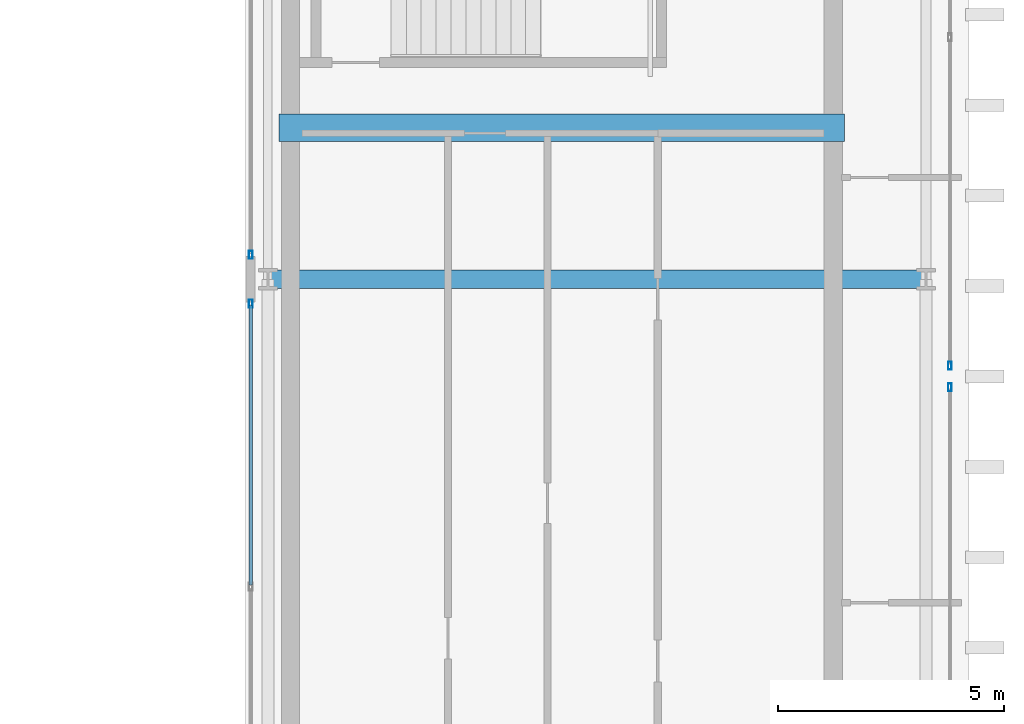
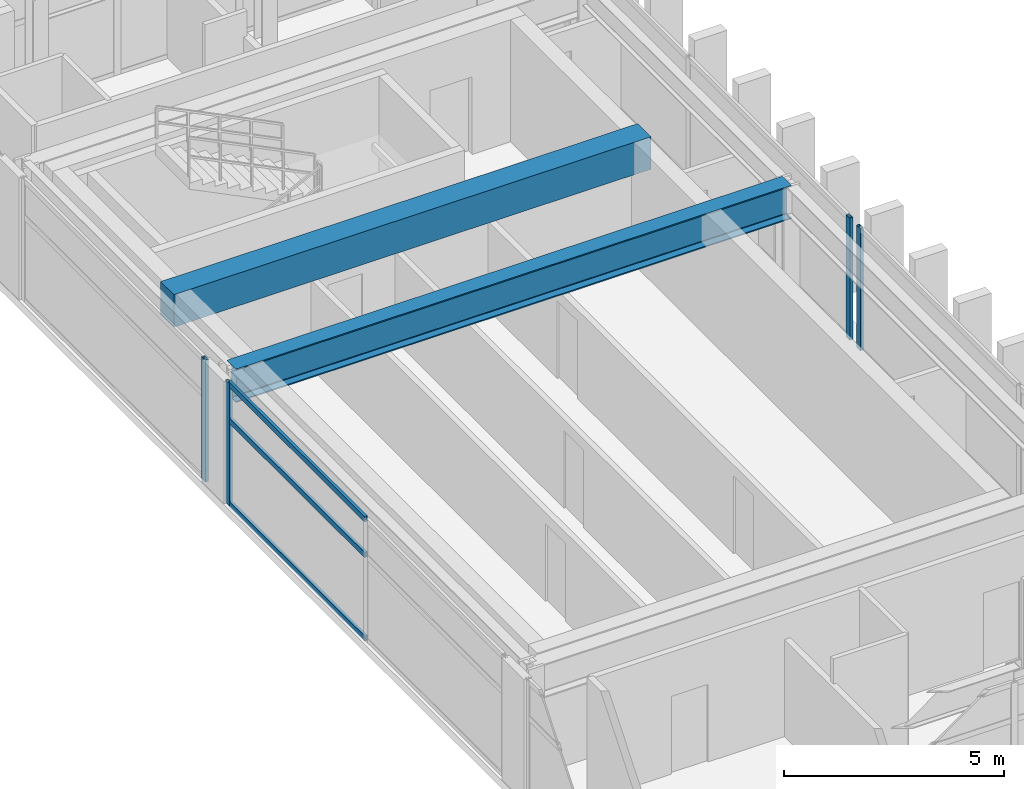
# One storey, part 11 of 25: 7 members, 2 beams, 4 elements without a shape of their own.
"""IFC4 building model written with IfcOpenShell, lengths in metres."""

from ifc_helpers import new_model, si_unit, direction, frame, origin, origin_2d, place, context, subcontext, project, spatial, rectangle, hollow_rectangle, i_section, extrude, source, transform, mapped, material, layer, layer_set, material_profile, profile_set, type_object, element, aggregate, save


model = new_model("IFC4")

# Units and contexts
model_context = context("Model", 3, precision=1e-05, world=origin(), true_north=direction((0.0, 1.0)))
body_context = subcontext(model_context, "Body", "Model", "MODEL_VIEW")
ifc_project = project(units=[si_unit("LENGTHUNIT", "METRE"), si_unit("AREAUNIT", "SQUARE_METRE"), si_unit("VOLUMEUNIT", "CUBIC_METRE"), si_unit("PLANEANGLEUNIT", "RADIAN"), si_unit("MASSUNIT", "GRAM", prefix="KILO")], contexts=[model_context])

# Site, building, storey
site_placement = place(None, origin())
site = spatial("IfcSite", under=ifc_project, at=site_placement, CompositionType="ELEMENT")
building_placement = place(site_placement, origin())
building = spatial("IfcBuilding", under=site, at=building_placement, Name="Ocotamira Hotel", CompositionType="ELEMENT")
storey_placement = place(building_placement, frame((0.0, 0.0, 258.0)))
storey = spatial("IfcBuildingStorey", under=building, at=storey_placement, Name="L65", CompositionType="ELEMENT", Elevation=258.0)

# Beams
ifc_material_1 = material(Name="Concrete C50/60", Category="concrete")
ifc_material_profile_1 = material_profile(ifc_material_1, rectangle(XDim=0.60009765625, YDim=0.89990234375, at=origin_2d()), Name="RC600X900")
ifc_profile_set_1 = profile_set([ifc_material_profile_1], Name="Concrete C50/60")
beam_type_1 = type_object("IfcBeamType", Name="BM-LINK-RC600", PredefinedType="LINTEL", material=ifc_profile_set_1)
shared_shape_1 = source(origin(), body_context, "Body", "SweptSolid", [
    extrude(rectangle(XDim=0.60009765625, YDim=0.89990234375, at=origin_2d()), origin(), (0.0, 0.0, 1.0), 12.5),
])
beam_1_placement = place(storey_placement, frame((40.75, 31.5, 2.929931640625), z_axis=(1.0, 0.0, 0.0), x_axis=(0.0, 1.0, 0.0)))
element("IfcBeam", 1, at=beam_1_placement, inside=storey, type_object=beam_type_1, Name="L65 East Core Coupling Beam", PredefinedType="LINTEL", context=body_context, shape_type="MappedRepresentation", body=[
    mapped(shared_shape_1, transform((0.0, 0.0, 0.0), scale=1.0)),
])
ifc_material_2 = material(Name="Steel ASTM A992 Grade 50", Category="steel")
ifc_material_profile_2 = material_profile(ifc_material_2, i_section(OverallWidth=0.41796875, OverallDepth=0.927001953125, WebThickness=0.019287109375, FlangeThickness=0.031982421875, FilletRadius=0.02392578125, at=origin_2d()), Name="W36X231")
ifc_profile_set_2 = profile_set([ifc_material_profile_2], Name="Steel ASTM A992 Grade 50")
beam_type_2 = type_object("IfcBeamType", Name="BM-GIRD-W36X231", PredefinedType="BEAM", material=ifc_profile_set_2)
shared_shape_2 = source(origin(), body_context, "Body", "SweptSolid", [
    extrude(i_section(OverallWidth=0.41796875, OverallDepth=0.927001953125, WebThickness=0.019287109375, FlangeThickness=0.031982421875, FilletRadius=0.02392578125, at=origin_2d()), origin(), (0.0, 0.0, 1.0), 14.550048828125),
])
beam_2_placement = place(storey_placement, frame((40.5, 28.14990234375, 2.91650390625), z_axis=(1.0, 0.0, 0.0), x_axis=(0.0, 1.0, 0.0)))
element("IfcBeam", 2, at=beam_2_placement, inside=storey, type_object=beam_type_2, Name="L65 Girder Y28.15 X40.5-55.05", PredefinedType="BEAM", context=body_context, shape_type="MappedRepresentation", body=[
    mapped(shared_shape_2, transform((0.0, 0.0, 0.0), scale=1.0)),
])

# Curtain wall, member
ifc_material_3 = material(Name="Anodised pale-metal aluminium and solar glass", Category="aluminium")
ifc_layer = layer(ifc_material_3, 0.2099609375)
ifc_layer_set = layer_set([ifc_layer], Name="Anodised pale-metal aluminium and solar glass")
curtain_wall_type = type_object("IfcCurtainWallType", Name="CW-SYS7-PEAK", PredefinedType="NOTDEFINED", material=ifc_layer_set)
curtain_wall_1_placement = place(storey_placement, origin())
curtain_wall_1 = element("IfcCurtainWall", 3, at=curtain_wall_1_placement, inside=storey, type_object=curtain_wall_type, Name="L65 Curtain Wall CW-7 CW-L65-EO1", PredefinedType="NOTDEFINED")
ifc_material_4 = material(Name="Anodised pale-metal aluminium 6063-T6", Category="aluminium")
ifc_material_profile_3 = material_profile(ifc_material_4, hollow_rectangle(XDim=0.080078125, YDim=0.179931640625, WallThickness=0.006103515625, at=origin_2d()), Name="HSS180X80X6")
ifc_profile_set_3 = profile_set([ifc_material_profile_3], Name="Anodised pale-metal aluminium 6063-T6")
member_type_1 = type_object("IfcMemberType", Name="CWM-180X75", PredefinedType="MULLION", material=ifc_profile_set_3)
shared_shape_3 = source(origin(), body_context, "Body", "SweptSolid", [
    extrude(hollow_rectangle(XDim=0.080078125, YDim=0.179931640625, WallThickness=0.006103515625, at=origin_2d()), origin(), (0.0, 0.0, 1.0), 3.3798828125),
])
member_1_placement = place(storey_placement, frame((55.580078125, 25.760009765625, 0.0), z_axis=(0.0, 0.0, 1.0), x_axis=(-1.0, 0.0, 0.0)))
member_1 = element("IfcMember", 4, at=member_1_placement, type_object=member_type_1, Name="CW-7 mullion 3", PredefinedType="MULLION", context=body_context, shape_type="MappedRepresentation", body=[
    mapped(shared_shape_3, transform((0.0, 0.0, 0.0), scale=1.0)),
])
aggregate(curtain_wall_1, [member_1])

curtain_wall_2_placement = place(storey_placement, origin())
curtain_wall_2 = element("IfcCurtainWall", 5, at=curtain_wall_2_placement, inside=storey, type_object=curtain_wall_type, Name="L65 Curtain Wall CW-7 CW-L65-EO2", PredefinedType="NOTDEFINED")
member_2_placement = place(storey_placement, frame((55.580078125, 26.239990234375, 0.0), z_axis=(0.0, 0.0, 1.0), x_axis=(-1.0, 0.0, 0.0)))
member_2 = element("IfcMember", 6, at=member_2_placement, type_object=member_type_1, Name="CW-7 mullion 1", PredefinedType="MULLION", context=body_context, shape_type="MappedRepresentation", body=[
    mapped(shared_shape_3, transform((0.0, 0.0, 0.0), scale=1.0)),
])
aggregate(curtain_wall_2, [member_2])

curtain_wall_3_placement = place(storey_placement, origin())
curtain_wall_3 = element("IfcCurtainWall", 7, at=curtain_wall_3_placement, inside=storey, type_object=curtain_wall_type, Name="L65 Curtain Wall CW-7 CW-L65-EI2", PredefinedType="NOTDEFINED")
member_3_placement = place(storey_placement, frame((40.1201171875, 27.610107421875, 0.0), z_axis=(0.0, 0.0, 1.0), x_axis=(-1.0, 0.0, 0.0)))
member_3 = element("IfcMember", 8, at=member_3_placement, type_object=member_type_1, Name="CW-7 mullion 3", PredefinedType="MULLION", context=body_context, shape_type="MappedRepresentation", body=[
    mapped(shared_shape_3, transform((0.0, 0.0, 0.0), scale=1.0)),
])

curtain_wall_4_placement = place(storey_placement, origin())
curtain_wall_4 = element("IfcCurtainWall", 9, at=curtain_wall_4_placement, inside=storey, type_object=curtain_wall_type, Name="L65 Curtain Wall CW-7 CW-L65-EI3", PredefinedType="NOTDEFINED")
member_4_placement = place(storey_placement, frame((40.1201171875, 28.68994140625, 0.0), z_axis=(0.0, 0.0, 1.0), x_axis=(-1.0, 0.0, 0.0)))
member_4 = element("IfcMember", 10, at=member_4_placement, type_object=member_type_1, Name="CW-7 mullion 1", PredefinedType="MULLION", context=body_context, shape_type="MappedRepresentation", body=[
    mapped(shared_shape_3, transform((0.0, 0.0, 0.0), scale=1.0)),
])
aggregate(curtain_wall_4, [member_4])

# Member
ifc_material_profile_4 = material_profile(ifc_material_4, hollow_rectangle(XDim=0.074951171875, YDim=0.14990234375, WallThickness=0.006103515625, at=origin_2d()), Name="HSS150X75X6")
ifc_profile_set_4 = profile_set([ifc_material_profile_4], Name="Anodised pale-metal aluminium 6063-T6")
member_type_2 = type_object("IfcMemberType", Name="CWT-150X75", PredefinedType="USERDEFINED", material=ifc_profile_set_4)
shared_shape_4 = source(origin(), body_context, "Body", "SweptSolid", [
    extrude(hollow_rectangle(XDim=0.074951171875, YDim=0.14990234375, WallThickness=0.006103515625, at=origin_2d()), origin(), (0.0, 0.0, 1.0), 6.18017578125),
])
member_5_placement = place(storey_placement, frame((40.1201171875, 21.389892578125, 0.03759765625), z_axis=(0.0, 1.0, 0.0), x_axis=(-1.0, 0.0, 0.0)))
member_5 = element("IfcMember", 11, at=member_5_placement, type_object=member_type_2, Name="CW-7 transom 2.1", ObjectType="TRANSOM", PredefinedType="USERDEFINED", context=body_context, shape_type="MappedRepresentation", body=[
    mapped(shared_shape_4, transform((0.0, 0.0, 0.0), scale=1.0)),
])

member_6_placement = place(storey_placement, frame((40.1201171875, 21.389892578125, 2.35009765625), z_axis=(0.0, 1.0, 0.0), x_axis=(-1.0, 0.0, 0.0)))
member_6 = element("IfcMember", 12, at=member_6_placement, type_object=member_type_2, Name="CW-7 transom 2.2", ObjectType="TRANSOM", PredefinedType="USERDEFINED", context=body_context, shape_type="MappedRepresentation", body=[
    mapped(shared_shape_4, transform((0.0, 0.0, 0.0), scale=1.0)),
])

member_7_placement = place(storey_placement, frame((40.1201171875, 21.389892578125, 3.342529296875), z_axis=(0.0, 1.0, 0.0), x_axis=(-1.0, 0.0, 0.0)))
member_7 = element("IfcMember", 13, at=member_7_placement, type_object=member_type_2, Name="CW-7 transom 2.3", ObjectType="TRANSOM", PredefinedType="USERDEFINED", context=body_context, shape_type="MappedRepresentation", body=[
    mapped(shared_shape_4, transform((0.0, 0.0, 0.0), scale=1.0)),
])

aggregate(curtain_wall_3, [member_3, member_5, member_6, member_7])

save(model, "model.ifc")
